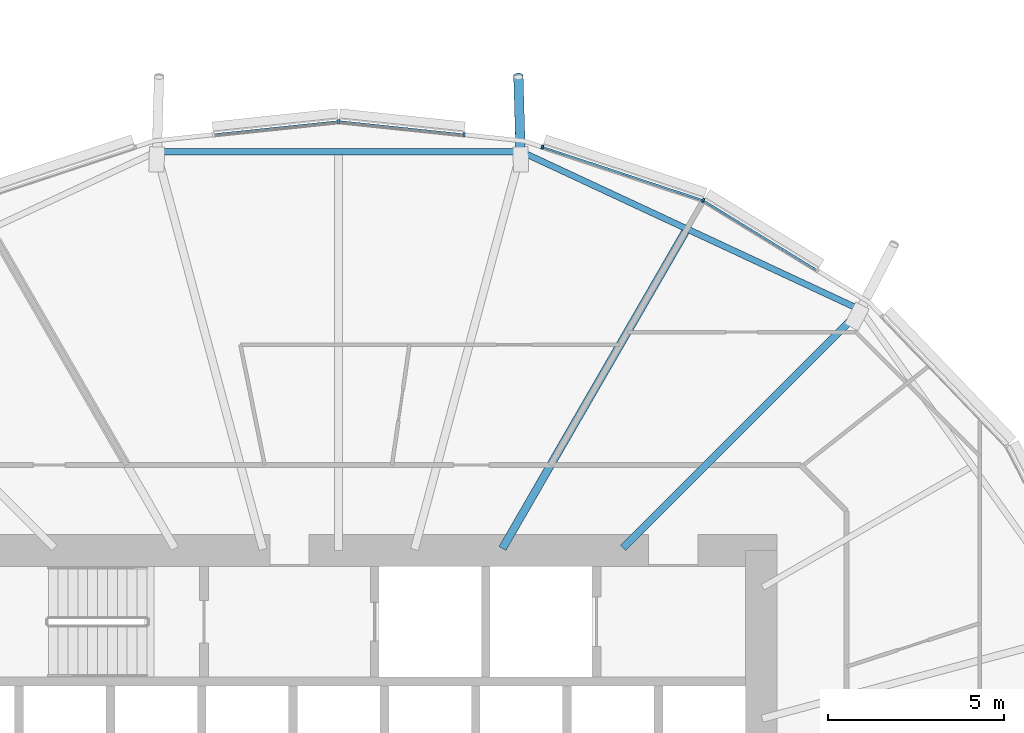
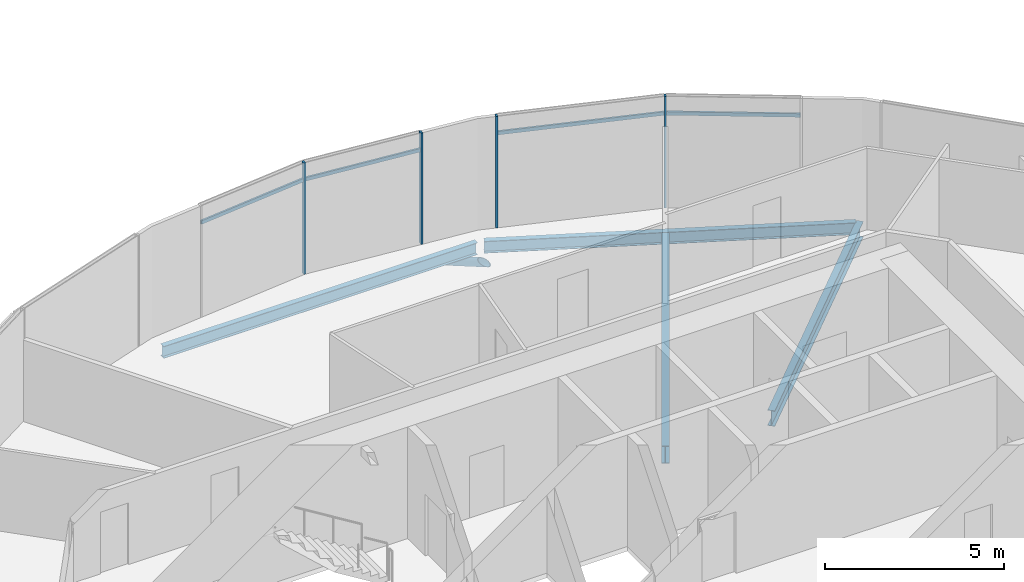
# One storey, part 11 of 37: 9 members, 4 beams, 1 element without a shape of its own.
"""IFC4 building model written with IfcOpenShell, lengths in metres."""

from ifc_helpers import new_model, si_unit, direction, frame, origin, origin_2d, place, context, subcontext, project, spatial, rectangle, hollow_circle, i_section, extrude, clip, halfspace, material, material_profile, profile_set, type_object, element, aggregate, save


model = new_model("IFC4")

# Units and contexts
model_context = context("Model", 3, precision=1e-05, world=origin(), true_north=direction((0.0, 1.0)))
body_context = subcontext(model_context, "Body", "Model", "MODEL_VIEW")
ifc_project = project(units=[si_unit("LENGTHUNIT", "METRE"), si_unit("AREAUNIT", "SQUARE_METRE"), si_unit("VOLUMEUNIT", "CUBIC_METRE"), si_unit("PLANEANGLEUNIT", "RADIAN"), si_unit("MASSUNIT", "GRAM", prefix="KILO")], contexts=[model_context])

# Site, building, storey
site_placement = place(None, origin())
site = spatial("IfcSite", under=ifc_project, at=site_placement, CompositionType="ELEMENT")
building_placement = place(site_placement, origin())
building = spatial("IfcBuilding", under=site, at=building_placement, Name="Rimbun Link Towers", CompositionType="ELEMENT")
storey_placement = place(building_placement, frame((0.0, 0.0, 45.199951171875)))
storey = spatial("IfcBuildingStorey", under=building, at=storey_placement, Name="L10", CompositionType="ELEMENT", Elevation=45.199951171875)

# Curtain wall, members
ifc_material_1 = material(Name="Aluminium 6063-T6 and low-iron glass", Category="aluminium")
curtain_wall_type = type_object("IfcCurtainWallType", Name="CW1 unitised vision wall", PredefinedType="NOTDEFINED", material=ifc_material_1)
curtain_wall_placement = place(storey_placement, origin())
curtain_wall = element("IfcCurtainWall", 1, at=curtain_wall_placement, inside=storey, type_object=curtain_wall_type, Name="CW1 L10 T1", PredefinedType="NOTDEFINED")
ifc_material_2 = material(Name="Aluminium 6063-T6", Category="aluminium")
ifc_material_profile_1 = material_profile(ifc_material_2, rectangle(XDim=0.1201171875, YDim=0.06005859375, at=origin_2d()), Name="MULLION 60X120")
ifc_profile_set_1 = profile_set([ifc_material_profile_1], Name="Aluminium 6063-T6")
member_type_1 = type_object("IfcMemberType", Name="CW1 mullion 60X120", PredefinedType="MULLION", material=ifc_profile_set_1)
member_1_placement = place(storey_placement, frame((-21.396240234375, 17.944091796875, 0.0), z_axis=(0.0, 0.0, 1.0), x_axis=(0.421700623213, 0.906735123607, 0.0)))
member_1 = element("IfcMember", 2, at=member_1_placement, type_object=member_type_1, Name="CW1 mullion", PredefinedType="MULLION", context=body_context, shape_type="SweptSolid", body=[
    extrude(rectangle(XDim=0.1201171875, YDim=0.06005859375, at=origin_2d()), origin(), (0.0, 0.0, 1.0), 3.800048828125),
])
member_2_placement = place(storey_placement, frame((-25.964111328125, 19.458251953125, 0.0), z_axis=(0.0, 0.0, 1.0), x_axis=(0.314557949572, 0.949238271648, 0.0)))
member_2 = element("IfcMember", 3, at=member_2_placement, type_object=member_type_1, Name="CW1 mullion", PredefinedType="MULLION", context=body_context, shape_type="SweptSolid", body=[
    extrude(rectangle(XDim=0.1201171875, YDim=0.06005859375, at=origin_2d()), origin(), (0.0, 0.0, 1.0), 3.800048828125),
])
member_3_placement = place(storey_placement, frame((-31.75, 20.1865234375, 0.0), z_axis=(0.0, 0.0, 1.0), x_axis=(0.0, 1.0, 0.0)))
member_3 = element("IfcMember", 4, at=member_3_placement, type_object=member_type_1, Name="CW1 mullion", PredefinedType="MULLION", context=body_context, shape_type="SweptSolid", body=[
    extrude(rectangle(XDim=0.1201171875, YDim=0.06005859375, at=origin_2d()), origin(), (0.0, 0.0, 1.0), 3.800048828125),
])
member_4_placement = place(storey_placement, frame((-28.189453125, 19.81201171875, 0.0), z_axis=(0.0, 0.0, 1.0), x_axis=(0.104742031783, 0.994499425228, 0.0)))
member_4 = element("IfcMember", 5, at=member_4_placement, type_object=member_type_1, Name="CW1 mullion", PredefinedType="MULLION", context=body_context, shape_type="SweptSolid", body=[
    extrude(rectangle(XDim=0.1201171875, YDim=0.06005859375, at=origin_2d()), origin(), (0.0, 0.0, 1.0), 3.800048828125),
])
ifc_material_3 = material(Name="Aluminium 6063-T6", Category="aluminium")
ifc_material_profile_2 = material_profile(ifc_material_3, rectangle(XDim=0.06005859375, YDim=0.1201171875, at=origin_2d()), Name="TRANSOM 60X120")
ifc_profile_set_2 = profile_set([ifc_material_profile_2], Name="Aluminium 6063-T6")
member_type_2 = type_object("IfcMemberType", Name="CW1 transom 60X120", PredefinedType="USERDEFINED", material=ifc_profile_set_2)
member_5_placement = place(storey_placement, frame((-21.365478515625, 17.92333984375, 3.199951171875), z_axis=(0.852173780916, -0.523258871992, 0.0), x_axis=(0.523258871992, 0.852173780916, 0.0)))
member_5 = element("IfcMember", 6, at=member_5_placement, type_object=member_type_2, Name="CW1 transom", ObjectType="TRANSOM", PredefinedType="USERDEFINED", context=body_context, shape_type="SweptSolid", body=[
    extrude(rectangle(XDim=0.06005859375, YDim=0.1201171875, at=origin_2d()), origin(), (0.0, 0.0, 1.0), 3.7373046875),
])
member_6_placement = place(storey_placement, frame((-25.936279296875, 19.44677734375, 3.199951171875), z_axis=(0.94924257517, -0.314544962581, 0.0), x_axis=(0.314544962581, 0.94924257517, 0.0)))
member_6 = element("IfcMember", 7, at=member_6_placement, type_object=member_type_2, Name="CW1 transom", ObjectType="TRANSOM", PredefinedType="USERDEFINED", context=body_context, shape_type="SweptSolid", body=[
    extrude(rectangle(XDim=0.06005859375, YDim=0.1201171875, at=origin_2d()), origin(), (0.0, 0.0, 1.0), 4.74560546875),
])
member_7_placement = place(storey_placement, frame((-31.714111328125, 20.18115234375, 3.199951171875), z_axis=(0.994496312409, -0.104771583004, 0.0), x_axis=(0.104771583004, 0.994496312409, 0.0)))
member_7 = element("IfcMember", 8, at=member_7_placement, type_object=member_type_2, Name="CW1 transom", ObjectType="TRANSOM", PredefinedType="USERDEFINED", context=body_context, shape_type="SweptSolid", body=[
    extrude(rectangle(XDim=0.06005859375, YDim=0.1201171875, at=origin_2d()), origin(), (0.0, 0.0, 1.0), 3.513916015625),
])
member_8_placement = place(storey_placement, frame((-35.280517578125, 19.81298828125, 3.199951171875), z_axis=(0.994496312409, 0.104771583004, 0.0), x_axis=(-0.104771583004, 0.994496312409, 0.0)))
member_8 = element("IfcMember", 9, at=member_8_placement, type_object=member_type_2, Name="CW1 transom", ObjectType="TRANSOM", PredefinedType="USERDEFINED", context=body_context, shape_type="SweptSolid", body=[
    extrude(rectangle(XDim=0.06005859375, YDim=0.1201171875, at=origin_2d()), origin(), (0.0, 0.0, 1.0), 3.513916015625),
])
aggregate(curtain_wall, [member_1, member_2, member_3, member_4, member_5, member_6, member_7, member_8])

# Member
ifc_material_4 = material(Name="Steel S355J2H", Category="steel")
ifc_material_profile_3 = material_profile(ifc_material_4, hollow_circle(Radius=0.136474609375, WallThickness=0.012451171875, at=origin_2d()), Name="CHS 273x12.5")
ifc_profile_set_3 = profile_set([ifc_material_profile_3], Name="Steel S355J2H")
member_type_3 = type_object("IfcMemberType", Name="Floor edge link CHS 273x12.5", PredefinedType="BRACE", material=ifc_profile_set_3)
member_9_placement = place(storey_placement, frame((-26.58349609375, 19.281494140625, -0.880859375), z_axis=(-0.024967858642, 0.869169571413, -0.493883449981), x_axis=(-0.999587660547, -0.028714262705, 0.0)))
element("IfcMember", 10, at=member_9_placement, inside=storey, type_object=member_type_3, Name="Floor edge link T1 L10 05", PredefinedType="BRACE", context=body_context, shape_type="Clipping", body=[
    clip(extrude(hollow_circle(Radius=0.136474609375, WallThickness=0.012451171875, at=origin_2d()), frame((0.0, 0.0, -0.5009765625)), (0.0, 0.0, 1.0), 3.043212890625), halfspace(frame((0.0, 0.0, -0.235595703125), z_axis=(0.0, 0.869528112159, -0.493883449981)), False)),
])

# Beams
ifc_material_5 = material(Name="Steel S355J2", Category="steel")
ifc_material_profile_4 = material_profile(ifc_material_5, i_section(OverallWidth=0.177978515625, OverallDepth=0.406494140625, WebThickness=0.0078125, FlangeThickness=0.0126953125, at=origin_2d()), Name="UB 406x178x60")
ifc_profile_set_4 = profile_set([ifc_material_profile_4], Name="Steel S355J2")
beam_type_1 = type_object("IfcBeamType", Name="UB 406x178x60", PredefinedType="BEAM", material=ifc_profile_set_4)
beam_1_placement = place(storey_placement, frame((-17.0205078125, 14.87890625, -0.363037109375), z_axis=(-0.906398512067, 0.422423646738, 0.0), x_axis=(-0.422423646738, -0.906398512067, 0.0)))
element("IfcBeam", 11, at=beam_1_placement, inside=storey, type_object=beam_type_1, Name="Edge beam T1 L10 03-05", PredefinedType="BEAM", context=body_context, shape_type="SweptSolid", body=[
    extrude(i_section(OverallWidth=0.177978515625, OverallDepth=0.406494140625, WebThickness=0.0078125, FlangeThickness=0.0126953125, at=origin_2d()), origin(), (0.0, 0.0, 1.0), 10.419921875),
])
beam_2_placement = place(storey_placement, frame((-26.689453125, 19.32958984375, -0.363037109375), z_axis=(-1.0, 0.0, 0.0), x_axis=(0.0, -1.0, 0.0)))
element("IfcBeam", 12, at=beam_2_placement, inside=storey, type_object=beam_type_1, Name="Edge beam T1 L10 05-07", PredefinedType="BEAM", context=body_context, shape_type="SweptSolid", body=[
    extrude(i_section(OverallWidth=0.177978515625, OverallDepth=0.406494140625, WebThickness=0.0078125, FlangeThickness=0.0126953125, at=origin_2d()), origin(), (0.0, 0.0, 1.0), 10.12109375),
])
ifc_material_6 = material(Name="Steel S355J2", Category="steel")
ifc_material_profile_5 = material_profile(ifc_material_6, i_section(OverallWidth=0.209228515625, OverallDepth=0.533203125, WebThickness=0.010009765625, FlangeThickness=0.015625, at=origin_2d()), Name="UB 533x210x92")
ifc_profile_set_5 = profile_set([ifc_material_profile_5], Name="Steel S355J2")
beam_type_2 = type_object("IfcBeamType", Name="UB 533x210x92", PredefinedType="BEAM", material=ifc_profile_set_5)
beam_3_placement = place(storey_placement, frame((-23.67529296875, 8.07470703125, -0.426513671875), z_axis=(0.707106781187, 0.707106781187, 0.0), x_axis=(-0.707106781187, 0.707106781187, 0.0)))
element("IfcBeam", 13, at=beam_3_placement, inside=storey, type_object=beam_type_2, Name="Radial beam T1 L10 03", PredefinedType="BEAM", context=body_context, shape_type="SweptSolid", body=[
    extrude(i_section(OverallWidth=0.209228515625, OverallDepth=0.533203125, WebThickness=0.010009765625, FlangeThickness=0.015625, at=origin_2d()), origin(), (0.0, 0.0, 1.0), 9.55517578125),
])
ifc_material_7 = material(Name="Steel S355J2", Category="steel")
ifc_material_profile_6 = material_profile(ifc_material_7, i_section(OverallWidth=0.2275390625, OverallDepth=0.6025390625, WebThickness=0.010498046875, FlangeThickness=0.014892578125, at=origin_2d()), Name="UB 610x229x101")
ifc_profile_set_6 = profile_set([ifc_material_profile_6], Name="Steel S355J2")
beam_type_3 = type_object("IfcBeamType", Name="UB 610x229x101", PredefinedType="BEAM", material=ifc_profile_set_6)
beam_4_placement = place(storey_placement, frame((-27.097900390625, 8.057861328125, -0.461181640625), z_axis=(0.499998423118, 0.866026314196, 0.0), x_axis=(-0.866026314196, 0.499998423118, 0.0)))
element("IfcBeam", 14, at=beam_4_placement, inside=storey, type_object=beam_type_3, Name="Radial beam T1 L10 04", PredefinedType="BEAM", context=body_context, shape_type="SweptSolid", body=[
    extrude(i_section(OverallWidth=0.2275390625, OverallDepth=0.6025390625, WebThickness=0.010498046875, FlangeThickness=0.014892578125, at=origin_2d()), origin(), (0.0, 0.0, 1.0), 10.38916015625),
])

save(model, "model.ifc")
